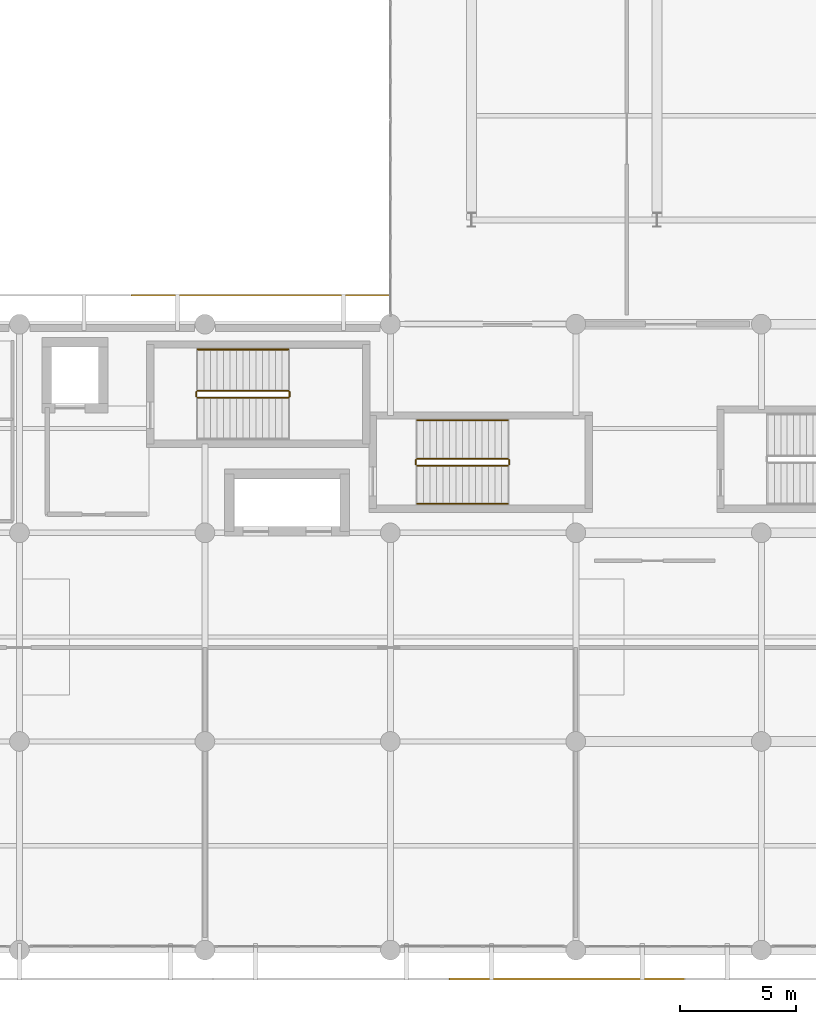
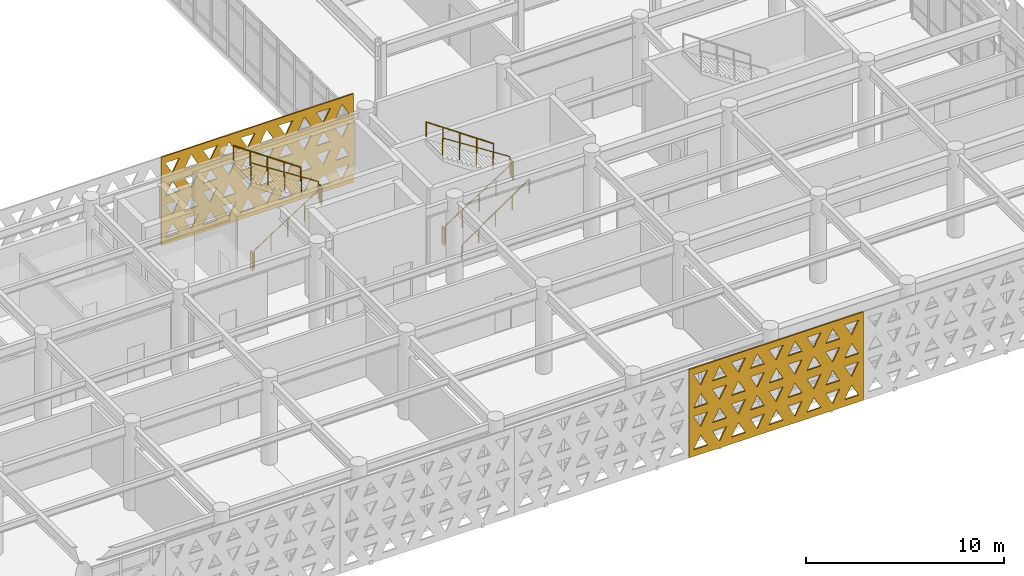
# One storey, part 77 of 84: 11 railings, 2 coverings.
"""IFC4 building model written with IfcOpenShell, lengths in metres."""

from ifc_helpers import new_model, si_unit, direction, frame, origin, origin_2d, place, context, subcontext, project, spatial, polyline, circle, outline, extrude, material, layer, layer_set, type_object, element, save


model = new_model("IFC4")

# Units and contexts
model_context = context("Model", 3, precision=1e-05, world=origin(), true_north=direction((0.0, 1.0)))
body_context = subcontext(model_context, "Body", "Model", "MODEL_VIEW")
ifc_project = project(units=[si_unit("LENGTHUNIT", "METRE"), si_unit("AREAUNIT", "SQUARE_METRE"), si_unit("VOLUMEUNIT", "CUBIC_METRE"), si_unit("PLANEANGLEUNIT", "RADIAN"), si_unit("MASSUNIT", "GRAM", prefix="KILO")], contexts=[model_context])

# Site, building, storey
site_placement = place(None, origin())
site = spatial("IfcSite", under=ifc_project, at=site_placement, CompositionType="ELEMENT")
building_placement = place(site_placement, origin())
building = spatial("IfcBuilding", under=site, at=building_placement, Name="Tlacozan Convention Centre", CompositionType="ELEMENT")
storey_placement = place(building_placement, frame((0.0, 0.0, 6.0)))
storey = spatial("IfcBuildingStorey", under=building, at=storey_placement, Name="L01", CompositionType="ELEMENT", Elevation=6.0)

# Railings
ifc_material_1 = material(Name="Architectural Painted Galvanised Steel Railing", Category="steel")
railing_type_1 = type_object("IfcRailingType", Name="Stair Wall Handrail 900", PredefinedType="HANDRAIL", material=ifc_material_1)
railing_1_placement = place(storey_placement, frame((83.60009765625, 25.909912109375, 2.8798828125)))
element("IfcRailing", 1, at=railing_1_placement, inside=storey, type_object=railing_type_1, Name="L01 ST-02 stair handrail 2", PredefinedType="HANDRAIL", context=body_context, shape_type="SweptSolid", body=[
    extrude(circle(Radius=0.02392578125, at=origin_2d()), frame((0.0, 0.0, 0.8759765625), z_axis=(-0.82354327477, 0.0, 0.567253448276), x_axis=(0.0, -1.0, 0.0)), (0.0, 0.0, 1.0), 4.760009765625),
    extrude(circle(Radius=0.02099609375, at=origin_2d()), origin(), (0.0, 0.0, 1.0), 0.851806640625),
    extrude(circle(Radius=0.02099609375, at=origin_2d()), frame((-0.97998046875, 0.0, 0.675048828125)), (0.0, 0.0, 1.0), 0.851806640625),
    extrude(circle(Radius=0.02099609375, at=origin_2d()), frame((-1.9599609375, 0.0, 1.35009765625)), (0.0, 0.0, 1.0), 0.851806640625),
    extrude(circle(Radius=0.02099609375, at=origin_2d()), frame((-2.940185546875, 0.0, 2.025146484375)), (0.0, 0.0, 1.0), 0.851806640625),
    extrude(circle(Radius=0.02099609375, at=origin_2d()), frame((-3.920166015625, 0.0, 2.7001953125)), (0.0, 0.0, 1.0), 0.851806640625),
])
railing_2_placement = place(storey_placement, frame((89.14990234375, 19.25, 0.179931640625)))
element("IfcRailing", 2, at=railing_2_placement, inside=storey, type_object=railing_type_1, Name="L01 ST-15 stair handrail 1", PredefinedType="HANDRAIL", context=body_context, shape_type="SweptSolid", body=[
    extrude(circle(Radius=0.02392578125, at=origin_2d()), frame((0.0, 0.0, 0.8759765625), z_axis=(0.823567234665, 0.0, 0.567218661528), x_axis=(0.0, 1.0, 0.0)), (0.0, 0.0, 1.0), 4.760009765625),
    extrude(circle(Radius=0.02099609375, at=origin_2d()), origin(), (0.0, 0.0, 1.0), 0.851806640625),
    extrude(circle(Radius=0.02099609375, at=origin_2d()), frame((0.97998046875, 0.0, 0.675048828125)), (0.0, 0.0, 1.0), 0.851806640625),
    extrude(circle(Radius=0.02099609375, at=origin_2d()), frame((1.9599609375, 0.0, 1.35009765625)), (0.0, 0.0, 1.0), 0.851806640625),
    extrude(circle(Radius=0.02099609375, at=origin_2d()), frame((2.940185546875, 0.0, 2.02490234375)), (0.0, 0.0, 1.0), 0.851806640625),
    extrude(circle(Radius=0.02099609375, at=origin_2d()), frame((3.920166015625, 0.0, 2.699951171875)), (0.0, 0.0, 1.0), 0.851806640625),
])
railing_3_placement = place(storey_placement, frame((93.070068359375, 22.85009765625, 2.8798828125)))
element("IfcRailing", 3, at=railing_3_placement, inside=storey, type_object=railing_type_1, Name="L01 ST-15 stair handrail 2", PredefinedType="HANDRAIL", context=body_context, shape_type="SweptSolid", body=[
    extrude(circle(Radius=0.02392578125, at=origin_2d()), frame((0.0, 0.0, 0.8759765625), z_axis=(-0.82354327477, 0.0, 0.567253448276), x_axis=(0.0, -1.0, 0.0)), (0.0, 0.0, 1.0), 4.760009765625),
    extrude(circle(Radius=0.02099609375, at=origin_2d()), origin(), (0.0, 0.0, 1.0), 0.851806640625),
    extrude(circle(Radius=0.02099609375, at=origin_2d()), frame((-0.97998046875, 0.0, 0.675048828125)), (0.0, 0.0, 1.0), 0.851806640625),
    extrude(circle(Radius=0.02099609375, at=origin_2d()), frame((-1.9599609375, 0.0, 1.35009765625)), (0.0, 0.0, 1.0), 0.851806640625),
    extrude(circle(Radius=0.02099609375, at=origin_2d()), frame((-2.940185546875, 0.0, 2.025146484375)), (0.0, 0.0, 1.0), 0.851806640625),
    extrude(circle(Radius=0.02099609375, at=origin_2d()), frame((-3.920166015625, 0.0, 2.7001953125)), (0.0, 0.0, 1.0), 0.851806640625),
])
railing_type_2 = type_object("IfcRailingType", Name="Stair Well Guardrail 1100", PredefinedType="GUARDRAIL", material=ifc_material_1)
railing_4_placement = place(storey_placement, frame((79.679931640625, 23.830078125, 0.179931640625)))
element("IfcRailing", 4, at=railing_4_placement, inside=storey, type_object=railing_type_2, Name="L01 ST-02 stair guard 1", PredefinedType="GUARDRAIL", context=body_context, shape_type="SweptSolid", body=[
    extrude(circle(Radius=0.02392578125, at=origin_2d()), frame((0.0, 0.0, 1.076171875), z_axis=(0.841186985886, 0.0, 0.540744352514), x_axis=(0.0, 1.0, 0.0)), (0.0, 0.0, 1.0), 4.660400390625),
    extrude(circle(Radius=0.02099609375, at=origin_2d()), origin(), (0.0, 0.0, 1.0), 1.052001953125),
    extrude(circle(Radius=0.02099609375, at=origin_2d()), frame((0.97998046875, 0.0, 0.6298828125)), (0.0, 0.0, 1.0), 1.052001953125),
    extrude(circle(Radius=0.02099609375, at=origin_2d()), frame((1.9599609375, 0.0, 1.260009765625)), (0.0, 0.0, 1.0), 1.052001953125),
    extrude(circle(Radius=0.02099609375, at=origin_2d()), frame((2.940185546875, 0.0, 1.89013671875)), (0.0, 0.0, 1.0), 1.052001953125),
    extrude(circle(Radius=0.02099609375, at=origin_2d()), frame((3.920166015625, 0.0, 2.52001953125)), (0.0, 0.0, 1.0), 1.052001953125),
])
railing_5_placement = place(storey_placement, frame((83.64990234375, 23.8798828125, 2.699951171875)))
element("IfcRailing", 5, at=railing_5_placement, inside=storey, type_object=railing_type_2, Name="L01 ST-02 stair guard 2", PredefinedType="GUARDRAIL", context=body_context, shape_type="SweptSolid", body=[
    extrude(circle(Radius=0.02392578125, at=origin_2d()), frame((0.0, 0.0, 1.076171875), z_axis=(0.0, 1.0, 0.0), x_axis=(-1.0, 0.0, 0.0)), (0.0, 0.0, 1.0), 0.2001953125),
    extrude(circle(Radius=0.02099609375, at=origin_2d()), origin(), (0.0, 0.0, 1.0), 1.052001953125),
    extrude(circle(Radius=0.02099609375, at=origin_2d()), frame((0.0, 0.2001953125, 0.0)), (0.0, 0.0, 1.0), 1.052001953125),
])
railing_6_placement = place(storey_placement, frame((83.60009765625, 24.1298828125, 2.8798828125)))
element("IfcRailing", 6, at=railing_6_placement, inside=storey, type_object=railing_type_2, Name="L01 ST-02 stair guard 3", PredefinedType="GUARDRAIL", context=body_context, shape_type="SweptSolid", body=[
    extrude(circle(Radius=0.02392578125, at=origin_2d()), frame((0.0, 0.0, 1.076171875), z_axis=(-0.841186985886, 0.0, 0.540744352514), x_axis=(0.0, -1.0, 0.0)), (0.0, 0.0, 1.0), 4.660400390625),
    extrude(circle(Radius=0.02099609375, at=origin_2d()), origin(), (0.0, 0.0, 1.0), 1.052001953125),
    extrude(circle(Radius=0.02099609375, at=origin_2d()), frame((-0.97998046875, 0.0, 0.6298828125)), (0.0, 0.0, 1.0), 1.052001953125),
    extrude(circle(Radius=0.02099609375, at=origin_2d()), frame((-1.9599609375, 0.0, 1.260009765625)), (0.0, 0.0, 1.0), 1.052001953125),
    extrude(circle(Radius=0.02099609375, at=origin_2d()), frame((-2.940185546875, 0.0, 1.89013671875)), (0.0, 0.0, 1.0), 1.052001953125),
    extrude(circle(Radius=0.02099609375, at=origin_2d()), frame((-3.920166015625, 0.0, 2.52001953125)), (0.0, 0.0, 1.0), 1.052001953125),
])
railing_7_placement = place(storey_placement, frame((79.6298828125, 23.8798828125, 0.0)))
element("IfcRailing", 7, at=railing_7_placement, inside=storey, type_object=railing_type_2, Name="L01 ST-02 stair guard 4", PredefinedType="GUARDRAIL", context=body_context, shape_type="SweptSolid", body=[
    extrude(circle(Radius=0.02392578125, at=origin_2d()), frame((0.0, 0.0, 1.076171875), z_axis=(0.0, 1.0, 0.0), x_axis=(-1.0, 0.0, 0.0)), (0.0, 0.0, 1.0), 0.2001953125),
    extrude(circle(Radius=0.02099609375, at=origin_2d()), origin(), (0.0, 0.0, 1.0), 1.052001953125),
    extrude(circle(Radius=0.02099609375, at=origin_2d()), frame((0.0, 0.2001953125, 0.0)), (0.0, 0.0, 1.0), 1.052001953125),
])
railing_8_placement = place(storey_placement, frame((89.14990234375, 20.89990234375, 0.179931640625)))
element("IfcRailing", 8, at=railing_8_placement, inside=storey, type_object=railing_type_2, Name="L01 ST-15 stair guard 1", PredefinedType="GUARDRAIL", context=body_context, shape_type="SweptSolid", body=[
    extrude(circle(Radius=0.02392578125, at=origin_2d()), frame((0.0, 0.0, 1.076171875), z_axis=(0.841186985886, 0.0, 0.540744352514), x_axis=(0.0, 1.0, 0.0)), (0.0, 0.0, 1.0), 4.660400390625),
    extrude(circle(Radius=0.02099609375, at=origin_2d()), origin(), (0.0, 0.0, 1.0), 1.052001953125),
    extrude(circle(Radius=0.02099609375, at=origin_2d()), frame((0.97998046875, 0.0, 0.6298828125)), (0.0, 0.0, 1.0), 1.052001953125),
    extrude(circle(Radius=0.02099609375, at=origin_2d()), frame((1.9599609375, 0.0, 1.260009765625)), (0.0, 0.0, 1.0), 1.052001953125),
    extrude(circle(Radius=0.02099609375, at=origin_2d()), frame((2.940185546875, 0.0, 1.89013671875)), (0.0, 0.0, 1.0), 1.052001953125),
    extrude(circle(Radius=0.02099609375, at=origin_2d()), frame((3.920166015625, 0.0, 2.52001953125)), (0.0, 0.0, 1.0), 1.052001953125),
])
railing_9_placement = place(storey_placement, frame((93.1201171875, 20.949951171875, 2.699951171875)))
element("IfcRailing", 9, at=railing_9_placement, inside=storey, type_object=railing_type_2, Name="L01 ST-15 stair guard 2", PredefinedType="GUARDRAIL", context=body_context, shape_type="SweptSolid", body=[
    extrude(circle(Radius=0.02392578125, at=origin_2d()), frame((0.0, 0.0, 1.076171875), z_axis=(0.0, 1.0, 0.0), x_axis=(-1.0, 0.0, 0.0)), (0.0, 0.0, 1.0), 0.199951171875),
    extrude(circle(Radius=0.02099609375, at=origin_2d()), origin(), (0.0, 0.0, 1.0), 1.052001953125),
    extrude(circle(Radius=0.02099609375, at=origin_2d()), frame((0.0, 0.199951171875, 0.0)), (0.0, 0.0, 1.0), 1.052001953125),
])
railing_10_placement = place(storey_placement, frame((93.070068359375, 21.199951171875, 2.8798828125)))
element("IfcRailing", 10, at=railing_10_placement, inside=storey, type_object=railing_type_2, Name="L01 ST-15 stair guard 3", PredefinedType="GUARDRAIL", context=body_context, shape_type="SweptSolid", body=[
    extrude(circle(Radius=0.02392578125, at=origin_2d()), frame((0.0, 0.0, 1.076171875), z_axis=(-0.841186985886, 0.0, 0.540744352514), x_axis=(0.0, -1.0, 0.0)), (0.0, 0.0, 1.0), 4.660400390625),
    extrude(circle(Radius=0.02099609375, at=origin_2d()), origin(), (0.0, 0.0, 1.0), 1.052001953125),
    extrude(circle(Radius=0.02099609375, at=origin_2d()), frame((-0.97998046875, 0.0, 0.6298828125)), (0.0, 0.0, 1.0), 1.052001953125),
    extrude(circle(Radius=0.02099609375, at=origin_2d()), frame((-1.9599609375, 0.0, 1.260009765625)), (0.0, 0.0, 1.0), 1.052001953125),
    extrude(circle(Radius=0.02099609375, at=origin_2d()), frame((-2.940185546875, 0.0, 1.89013671875)), (0.0, 0.0, 1.0), 1.052001953125),
    extrude(circle(Radius=0.02099609375, at=origin_2d()), frame((-3.920166015625, 0.0, 2.52001953125)), (0.0, 0.0, 1.0), 1.052001953125),
])
railing_11_placement = place(storey_placement, frame((89.10009765625, 20.949951171875, 0.0)))
element("IfcRailing", 11, at=railing_11_placement, inside=storey, type_object=railing_type_2, Name="L01 ST-15 stair guard 4", PredefinedType="GUARDRAIL", context=body_context, shape_type="SweptSolid", body=[
    extrude(circle(Radius=0.02392578125, at=origin_2d()), frame((0.0, 0.0, 1.076171875), z_axis=(0.0, 1.0, 0.0), x_axis=(-1.0, 0.0, 0.0)), (0.0, 0.0, 1.0), 0.199951171875),
    extrude(circle(Radius=0.02099609375, at=origin_2d()), origin(), (0.0, 0.0, 1.0), 1.052001953125),
    extrude(circle(Radius=0.02099609375, at=origin_2d()), frame((0.0, 0.199951171875, 0.0)), (0.0, 0.0, 1.0), 1.052001953125),
])

# Coverings
ifc_material_2 = material(Name="Toluca Fired Terracotta Masonry Solar Screen", Category="masonry")
ifc_layer = layer(ifc_material_2, 0.080078125)
ifc_layer_set = layer_set([ifc_layer], Name="Toluca Fired Terracotta Masonry Solar Screen")
covering_type = type_object("IfcCoveringType", Name="Terracotta Triangle Solar Screen 80", PredefinedType="USERDEFINED", material=ifc_layer_set)
covering_1_placement = place(storey_placement, frame((90.527099609375, -1.25, -0.10009765625), z_axis=(0.0, 0.0, 1.0), x_axis=(1.0, 0.0, 0.0)))
element("IfcCovering", 12, at=covering_1_placement, inside=storey, type_object=covering_type, Name="L01 Terracotta Triangle Screen 10", ObjectType="SCREEN", PredefinedType="USERDEFINED", context=body_context, shape_type="SweptSolid", body=[
    extrude(outline(polyline([(0.0, 0.0), (10.1708984375, 0.0), (10.1708984375, 5.4501953125), (0.0, 5.4501953125), (0.0, 0.0)]), holes=[polyline([(0.271484375, 0.41796875), (1.099365234375, 0.41796875), (0.685546875, 1.1845703125), (0.271484375, 0.41796875)]), polyline([(1.371337890625, 1.1845703125), (2.199462890625, 1.1845703125), (1.785400390625, 0.41796875), (1.371337890625, 1.1845703125)]), polyline([(2.471435546875, 0.41796875), (3.299560546875, 0.41796875), (2.885498046875, 1.1845703125), (2.471435546875, 0.41796875)]), polyline([(3.571533203125, 1.1845703125), (4.3994140625, 1.1845703125), (3.9853515625, 0.41796875), (3.571533203125, 1.1845703125)]), polyline([(4.67138671875, 0.41796875), (5.49951171875, 0.41796875), (5.08544921875, 1.1845703125), (4.67138671875, 0.41796875)]), polyline([(5.771484375, 1.1845703125), (6.599365234375, 1.1845703125), (6.185546875, 0.41796875), (5.771484375, 1.1845703125)]), polyline([(6.871337890625, 0.41796875), (7.699462890625, 0.41796875), (7.285400390625, 1.1845703125), (6.871337890625, 0.41796875)]), polyline([(7.971435546875, 1.1845703125), (8.799560546875, 1.1845703125), (8.385498046875, 0.41796875), (7.971435546875, 1.1845703125)]), polyline([(9.071533203125, 0.41796875), (9.8994140625, 0.41796875), (9.4853515625, 1.1845703125), (9.071533203125, 0.41796875)]), polyline([(0.271484375, 2.46728515625), (1.099365234375, 2.46728515625), (0.685546875, 1.700439453125), (0.271484375, 2.46728515625)]), polyline([(1.371337890625, 1.700439453125), (2.199462890625, 1.700439453125), (1.785400390625, 2.46728515625), (1.371337890625, 1.700439453125)]), polyline([(2.471435546875, 2.46728515625), (3.299560546875, 2.46728515625), (2.885498046875, 1.700439453125), (2.471435546875, 2.46728515625)]), polyline([(3.571533203125, 1.700439453125), (4.3994140625, 1.700439453125), (3.9853515625, 2.46728515625), (3.571533203125, 1.700439453125)]), polyline([(4.67138671875, 2.46728515625), (5.49951171875, 2.46728515625), (5.08544921875, 1.700439453125), (4.67138671875, 2.46728515625)]), polyline([(5.771484375, 1.700439453125), (6.599365234375, 1.700439453125), (6.185546875, 2.46728515625), (5.771484375, 1.700439453125)]), polyline([(6.871337890625, 2.46728515625), (7.699462890625, 2.46728515625), (7.285400390625, 1.700439453125), (6.871337890625, 2.46728515625)]), polyline([(7.971435546875, 1.700439453125), (8.799560546875, 1.700439453125), (8.385498046875, 2.46728515625), (7.971435546875, 1.700439453125)]), polyline([(9.071533203125, 2.46728515625), (9.8994140625, 2.46728515625), (9.4853515625, 1.700439453125), (9.071533203125, 2.46728515625)]), polyline([(0.271484375, 2.98291015625), (1.099365234375, 2.98291015625), (0.685546875, 3.749755859375), (0.271484375, 2.98291015625)]), polyline([(1.371337890625, 3.749755859375), (2.199462890625, 3.749755859375), (1.785400390625, 2.98291015625), (1.371337890625, 3.749755859375)]), polyline([(2.471435546875, 2.98291015625), (3.299560546875, 2.98291015625), (2.885498046875, 3.749755859375), (2.471435546875, 2.98291015625)]), polyline([(3.571533203125, 3.749755859375), (4.3994140625, 3.749755859375), (3.9853515625, 2.98291015625), (3.571533203125, 3.749755859375)]), polyline([(4.67138671875, 2.98291015625), (5.49951171875, 2.98291015625), (5.08544921875, 3.749755859375), (4.67138671875, 2.98291015625)]), polyline([(5.771484375, 3.749755859375), (6.599365234375, 3.749755859375), (6.185546875, 2.98291015625), (5.771484375, 3.749755859375)]), polyline([(6.871337890625, 2.98291015625), (7.699462890625, 2.98291015625), (7.285400390625, 3.749755859375), (6.871337890625, 2.98291015625)]), polyline([(7.971435546875, 3.749755859375), (8.799560546875, 3.749755859375), (8.385498046875, 2.98291015625), (7.971435546875, 3.749755859375)]), polyline([(9.071533203125, 2.98291015625), (9.8994140625, 2.98291015625), (9.4853515625, 3.749755859375), (9.071533203125, 2.98291015625)]), polyline([(0.271484375, 5.0322265625), (1.099365234375, 5.0322265625), (0.685546875, 4.265625), (0.271484375, 5.0322265625)]), polyline([(1.371337890625, 4.265625), (2.199462890625, 4.265625), (1.785400390625, 5.0322265625), (1.371337890625, 4.265625)]), polyline([(2.471435546875, 5.0322265625), (3.299560546875, 5.0322265625), (2.885498046875, 4.265625), (2.471435546875, 5.0322265625)]), polyline([(3.571533203125, 4.265625), (4.3994140625, 4.265625), (3.9853515625, 5.0322265625), (3.571533203125, 4.265625)]), polyline([(4.67138671875, 5.0322265625), (5.49951171875, 5.0322265625), (5.08544921875, 4.265625), (4.67138671875, 5.0322265625)]), polyline([(5.771484375, 4.265625), (6.599365234375, 4.265625), (6.185546875, 5.0322265625), (5.771484375, 4.265625)]), polyline([(6.871337890625, 5.0322265625), (7.699462890625, 5.0322265625), (7.285400390625, 4.265625), (6.871337890625, 5.0322265625)]), polyline([(7.971435546875, 4.265625), (8.799560546875, 4.265625), (8.385498046875, 5.0322265625), (7.971435546875, 4.265625)]), polyline([(9.071533203125, 5.0322265625), (9.8994140625, 5.0322265625), (9.4853515625, 4.265625), (9.071533203125, 5.0322265625)])]), frame((0.0, 0.0400390625, 0.0), z_axis=(0.0, -1.0, 0.0), x_axis=(1.0, 0.0, 0.0)), (0.0, 0.0, 1.0), 0.080078125),
])
covering_2_placement = place(storey_placement, frame((76.802001953125, 28.25, -0.10009765625), z_axis=(0.0, 0.0, 1.0), x_axis=(1.0, 0.0, 0.0)))
element("IfcCovering", 13, at=covering_2_placement, inside=storey, type_object=covering_type, Name="L01 Terracotta Triangle Screen 24", ObjectType="SCREEN", PredefinedType="USERDEFINED", context=body_context, shape_type="SweptSolid", body=[
    extrude(outline(polyline([(0.0, 0.0), (11.196044921875, 0.0), (11.196044921875, 5.4501953125), (0.0, 5.4501953125), (0.0, 0.0)]), holes=[polyline([(0.23388671875, 0.41796875), (1.06201171875, 0.41796875), (0.64794921875, 1.1845703125), (0.23388671875, 0.41796875)]), polyline([(1.333984375, 1.1845703125), (2.162109375, 1.1845703125), (1.748046875, 0.41796875), (1.333984375, 1.1845703125)]), polyline([(2.43408203125, 0.41796875), (3.261962890625, 0.41796875), (2.84814453125, 1.1845703125), (2.43408203125, 0.41796875)]), polyline([(3.533935546875, 1.1845703125), (4.362060546875, 1.1845703125), (3.947998046875, 0.41796875), (3.533935546875, 1.1845703125)]), polyline([(4.634033203125, 0.41796875), (5.462158203125, 0.41796875), (5.048095703125, 1.1845703125), (4.634033203125, 0.41796875)]), polyline([(5.73388671875, 1.1845703125), (6.56201171875, 1.1845703125), (6.14794921875, 0.41796875), (5.73388671875, 1.1845703125)]), polyline([(6.833984375, 0.41796875), (7.662109375, 0.41796875), (7.248046875, 1.1845703125), (6.833984375, 0.41796875)]), polyline([(7.93408203125, 1.1845703125), (8.761962890625, 1.1845703125), (8.34814453125, 0.41796875), (7.93408203125, 1.1845703125)]), polyline([(9.033935546875, 0.41796875), (9.862060546875, 0.41796875), (9.447998046875, 1.1845703125), (9.033935546875, 0.41796875)]), polyline([(10.134033203125, 1.1845703125), (10.962158203125, 1.1845703125), (10.548095703125, 0.41796875), (10.134033203125, 1.1845703125)]), polyline([(0.23388671875, 2.46728515625), (1.06201171875, 2.46728515625), (0.64794921875, 1.700439453125), (0.23388671875, 2.46728515625)]), polyline([(1.333984375, 1.700439453125), (2.162109375, 1.700439453125), (1.748046875, 2.46728515625), (1.333984375, 1.700439453125)]), polyline([(2.43408203125, 2.46728515625), (3.261962890625, 2.46728515625), (2.84814453125, 1.700439453125), (2.43408203125, 2.46728515625)]), polyline([(3.533935546875, 1.700439453125), (4.362060546875, 1.700439453125), (3.947998046875, 2.46728515625), (3.533935546875, 1.700439453125)]), polyline([(4.634033203125, 2.46728515625), (5.462158203125, 2.46728515625), (5.048095703125, 1.700439453125), (4.634033203125, 2.46728515625)]), polyline([(5.73388671875, 1.700439453125), (6.56201171875, 1.700439453125), (6.14794921875, 2.46728515625), (5.73388671875, 1.700439453125)]), polyline([(6.833984375, 2.46728515625), (7.662109375, 2.46728515625), (7.248046875, 1.700439453125), (6.833984375, 2.46728515625)]), polyline([(7.93408203125, 1.700439453125), (8.761962890625, 1.700439453125), (8.34814453125, 2.46728515625), (7.93408203125, 1.700439453125)]), polyline([(9.033935546875, 2.46728515625), (9.862060546875, 2.46728515625), (9.447998046875, 1.700439453125), (9.033935546875, 2.46728515625)]), polyline([(10.134033203125, 1.700439453125), (10.962158203125, 1.700439453125), (10.548095703125, 2.46728515625), (10.134033203125, 1.700439453125)]), polyline([(0.23388671875, 2.98291015625), (1.06201171875, 2.98291015625), (0.64794921875, 3.749755859375), (0.23388671875, 2.98291015625)]), polyline([(1.333984375, 3.749755859375), (2.162109375, 3.749755859375), (1.748046875, 2.98291015625), (1.333984375, 3.749755859375)]), polyline([(2.43408203125, 2.98291015625), (3.261962890625, 2.98291015625), (2.84814453125, 3.749755859375), (2.43408203125, 2.98291015625)]), polyline([(3.533935546875, 3.749755859375), (4.362060546875, 3.749755859375), (3.947998046875, 2.98291015625), (3.533935546875, 3.749755859375)]), polyline([(4.634033203125, 2.98291015625), (5.462158203125, 2.98291015625), (5.048095703125, 3.749755859375), (4.634033203125, 2.98291015625)]), polyline([(5.73388671875, 3.749755859375), (6.56201171875, 3.749755859375), (6.14794921875, 2.98291015625), (5.73388671875, 3.749755859375)]), polyline([(6.833984375, 2.98291015625), (7.662109375, 2.98291015625), (7.248046875, 3.749755859375), (6.833984375, 2.98291015625)]), polyline([(7.93408203125, 3.749755859375), (8.761962890625, 3.749755859375), (8.34814453125, 2.98291015625), (7.93408203125, 3.749755859375)]), polyline([(9.033935546875, 2.98291015625), (9.862060546875, 2.98291015625), (9.447998046875, 3.749755859375), (9.033935546875, 2.98291015625)]), polyline([(10.134033203125, 3.749755859375), (10.962158203125, 3.749755859375), (10.548095703125, 2.98291015625), (10.134033203125, 3.749755859375)]), polyline([(0.23388671875, 5.0322265625), (1.06201171875, 5.0322265625), (0.64794921875, 4.265625), (0.23388671875, 5.0322265625)]), polyline([(1.333984375, 4.265625), (2.162109375, 4.265625), (1.748046875, 5.0322265625), (1.333984375, 4.265625)]), polyline([(2.43408203125, 5.0322265625), (3.261962890625, 5.0322265625), (2.84814453125, 4.265625), (2.43408203125, 5.0322265625)]), polyline([(3.533935546875, 4.265625), (4.362060546875, 4.265625), (3.947998046875, 5.0322265625), (3.533935546875, 4.265625)]), polyline([(4.634033203125, 5.0322265625), (5.462158203125, 5.0322265625), (5.048095703125, 4.265625), (4.634033203125, 5.0322265625)]), polyline([(5.73388671875, 4.265625), (6.56201171875, 4.265625), (6.14794921875, 5.0322265625), (5.73388671875, 4.265625)]), polyline([(6.833984375, 5.0322265625), (7.662109375, 5.0322265625), (7.248046875, 4.265625), (6.833984375, 5.0322265625)]), polyline([(7.93408203125, 4.265625), (8.761962890625, 4.265625), (8.34814453125, 5.0322265625), (7.93408203125, 4.265625)]), polyline([(9.033935546875, 5.0322265625), (9.862060546875, 5.0322265625), (9.447998046875, 4.265625), (9.033935546875, 5.0322265625)]), polyline([(10.134033203125, 4.265625), (10.962158203125, 4.265625), (10.548095703125, 5.0322265625), (10.134033203125, 4.265625)])]), frame((0.0, 0.0400390625, 0.0), z_axis=(0.0, -1.0, 0.0), x_axis=(1.0, 0.0, 0.0)), (0.0, 0.0, 1.0), 0.080078125),
])

save(model, "model.ifc")
